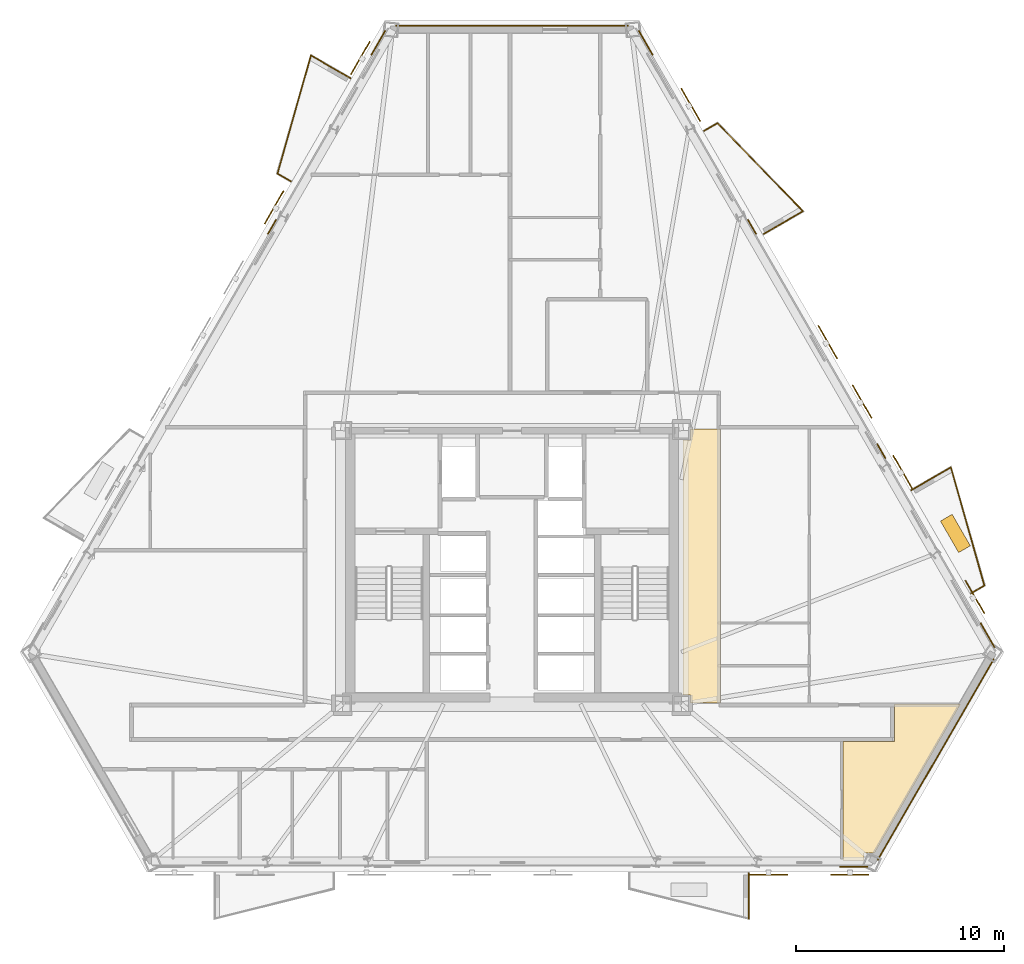
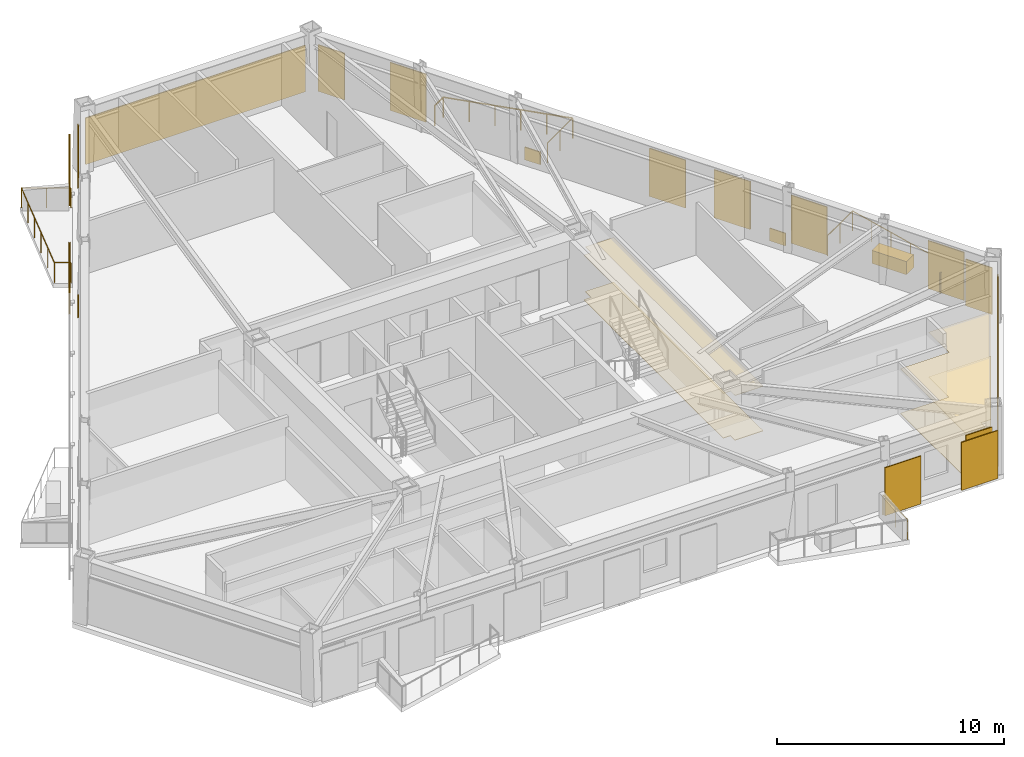
# One storey, part 9 of 9: 14 coverings, 10 railings, 9 shading devices.
"""IFC4 building model written with IfcOpenShell, lengths in metres."""

from ifc_helpers import new_model, si_unit, direction, frame, origin, origin_2d, place, context, subcontext, project, spatial, polyline, rectangle, circle, outline, extrude, material, layer, layer_set, type_object, element, save


model = new_model("IFC4")

# Units and contexts
model_context = context("Model", 3, precision=1e-05, world=origin(), true_north=direction((0.0, 1.0)))
body_context = subcontext(model_context, "Body", "Model", "MODEL_VIEW")
ifc_project = project(units=[si_unit("LENGTHUNIT", "METRE"), si_unit("AREAUNIT", "SQUARE_METRE"), si_unit("VOLUMEUNIT", "CUBIC_METRE"), si_unit("PLANEANGLEUNIT", "RADIAN"), si_unit("MASSUNIT", "GRAM", prefix="KILO")], contexts=[model_context])

# Site, building, storey
site_placement = place(None, origin())
site = spatial("IfcSite", under=ifc_project, at=site_placement, CompositionType="ELEMENT")
building_placement = place(site_placement, origin())
building = spatial("IfcBuilding", under=site, at=building_placement, Name="Oramaril Tower", CompositionType="ELEMENT")
storey_placement = place(building_placement, frame((0.0, 0.0, 104.10009765625)))
storey = spatial("IfcBuildingStorey", under=building, at=storey_placement, Name="L27", CompositionType="ELEMENT", Elevation=104.10009765625)

# Coverings
ifc_material_1 = material(Name="Mineral Fibre Acoustic Ceiling")
ifc_layer_1 = layer(ifc_material_1, 0.02001953125)
ifc_layer_set_1 = layer_set([ifc_layer_1], Name="CVT-CEIL")
covering_type_1 = type_object("IfcCoveringType", Name="CVT-CEIL", PredefinedType="CEILING", material=ifc_layer_set_1)
covering_1_placement = place(storey_placement, frame((0.0, 0.0, 2.39990234375)))
element("IfcCovering", 1, at=covering_1_placement, inside=storey, type_object=covering_type_1, Name="L27 Acoustic Suspended Ceiling 4", PredefinedType="CEILING", context=body_context, shape_type="SweptSolid", body=[
    extrude(outline(polyline([(47.530029296875, 11.050048828125), (46.094970703125, 11.050048828125), (46.094970703125, 11.445068359375), (45.719970703125, 11.445068359375), (45.719970703125, 23.705078125), (46.094970703125, 23.705078125), (46.094970703125, 24.219970703125), (47.530029296875, 24.219970703125), (47.530029296875, 11.050048828125)])), origin(), (0.0, 0.0, 1.0), 0.02001953125),
])
covering_2_placement = place(storey_placement, frame((0.0, 0.0, 2.39990234375)))
element("IfcCovering", 2, at=covering_2_placement, inside=storey, type_object=covering_type_1, Name="L27 Acoustic Suspended Ceiling 7", PredefinedType="CEILING", context=body_context, shape_type="SweptSolid", body=[
    extrude(outline(polyline([(59.07177734375, 10.991943359375), (54.936279296875, 3.829345703125), (54.427734375, 3.829345703125), (54.427734375, 3.481201171875), (53.42919921875, 3.481201171875), (53.42919921875, 9.199951171875), (55.8798828125, 9.199951171875), (55.882080078125, 9.2001953125), (55.8837890625, 9.200439453125), (55.8857421875, 9.200927734375), (55.8876953125, 9.201416015625), (55.889404296875, 9.202392578125), (55.89111328125, 9.203369140625), (55.892578125, 9.20458984375), (55.89404296875, 9.205810546875), (55.8955078125, 9.207275390625), (55.896484375, 9.208984375), (55.897705078125, 9.210693359375), (55.8984375, 9.21240234375), (55.899169921875, 9.214111328125), (55.899658203125, 9.216064453125), (55.89990234375, 9.218017578125), (55.89990234375, 9.219970703125), (55.89990234375, 10.991943359375), (59.07177734375, 10.991943359375)])), origin(), (0.0, 0.0, 1.0), 0.02001953125),
])
ifc_material_2 = material(Name="Warm Cream Limestone", Category="masonry")
ifc_layer_2 = layer(ifc_material_2, 0.050048828125)
ifc_layer_set_2 = layer_set([ifc_layer_2], Name="CVT-CLD")
covering_type_2 = type_object("IfcCoveringType", Name="CVT-CLD", PredefinedType="CLADDING", material=ifc_layer_set_2)
covering_3_placement = place(storey_placement, frame((53.94775390625, 3.180419921875, 0.039794921875), z_axis=(0.0, 0.0, 1.0), x_axis=(1.0, 0.0, 0.0)))
element("IfcCovering", 3, at=covering_3_placement, inside=storey, type_object=covering_type_2, Name="L27 Warm Cream Limestone Cladding", PredefinedType="CLADDING", context=body_context, shape_type="SweptSolid", body=[
    extrude(rectangle(XDim=1.35009765625, YDim=0.050048828125, at=origin_2d()), origin(), (0.0, 0.0, 1.0), 2.498046875),
])
covering_4_placement = place(storey_placement, frame((57.88330078125, 8.331787109375, 0.039794921875), z_axis=(0.0, 0.0, 1.0), x_axis=(0.5, 0.866025403784, 0.0)))
element("IfcCovering", 4, at=covering_4_placement, inside=storey, type_object=covering_type_2, Name="L27 Warm Cream Limestone Cladding", PredefinedType="CLADDING", context=body_context, shape_type="SweptSolid", body=[
    extrude(rectangle(XDim=11.173828125, YDim=0.050048828125, at=origin_2d()), origin(), (0.0, 0.0, 1.0), 2.498046875),
])
for number, where, z_axis, x_axis, name in (
    (5, (60.376708984375, 14.315673828125, 0.039794921875), (0.0, 0.0, 1.0), (-0.5, 0.866025403784, 0.0), "L27 Warm Cream Limestone Cladding"),
    (6, (43.928955078125, 42.803955078125, 0.039794921875), (0.0, 0.0, 1.0), (-0.5, 0.866025403784, 0.0), "L27 Warm Cream Limestone Cladding"),
):
    element("IfcCovering", number, at=place(storey_placement, frame(where, z_axis=z_axis, x_axis=x_axis)), inside=storey, type_object=covering_type_2, Name=name, PredefinedType="CLADDING", context=body_context, shape_type="SweptSolid", body=[
        extrude(rectangle(XDim=1.35009765625, YDim=0.050048828125, at=origin_2d()), origin(), (0.0, 0.0, 1.0), 2.498046875),
    ])
for number, where, z_axis, x_axis, name in (
    (7, (55.2666015625, 23.1669921875, 0.0400390625), (0.0, 0.0, 1.0), (-0.5, 0.866025403784, 0.0), "L27 Warm Cream Limestone Spandrel Cladding"),
    (8, (49.039306640625, 33.95263671875, 0.0400390625), (0.0, 0.0, 1.0), (-0.5, 0.866025403784, 0.0), "L27 Warm Cream Limestone Spandrel Cladding"),
):
    element("IfcCovering", number, at=place(storey_placement, frame(where, z_axis=z_axis, x_axis=x_axis)), inside=storey, type_object=covering_type_2, Name=name, PredefinedType="CLADDING", context=body_context, shape_type="SweptSolid", body=[
        extrude(rectangle(XDim=0.800048828125, YDim=0.050048828125, at=origin_2d()), origin(), (0.0, 0.0, 1.0), 0.679931640625),
    ])
covering_5_placement = place(storey_placement, frame((37.5, 43.63671875, 0.039794921875), z_axis=(0.0, 0.0, 1.0), x_axis=(-1.0, 0.0, 0.0)))
element("IfcCovering", 9, at=covering_5_placement, inside=storey, type_object=covering_type_2, Name="L27 Warm Cream Limestone Cladding", PredefinedType="CLADDING", context=body_context, shape_type="SweptSolid", body=[
    extrude(rectangle(XDim=11.173828125, YDim=0.050048828125, at=origin_2d()), origin(), (0.0, 0.0, 1.0), 2.498046875),
])
covering_6_placement = place(storey_placement, frame((31.071044921875, 42.803955078125, 0.039794921875), z_axis=(0.0, 0.0, 1.0), x_axis=(-0.5, -0.866025403784, 0.0)))
element("IfcCovering", 10, at=covering_6_placement, inside=storey, type_object=covering_type_2, Name="L27 Warm Cream Limestone Cladding", PredefinedType="CLADDING", context=body_context, shape_type="SweptSolid", body=[
    extrude(rectangle(XDim=1.35009765625, YDim=0.050048828125, at=origin_2d()), origin(), (0.0, 0.0, 1.0), 2.498046875),
])
covering_7_placement = place(storey_placement, frame((25.960693359375, 33.95263671875, 0.0400390625), z_axis=(0.0, 0.0, 1.0), x_axis=(-0.5, -0.866025403784, 0.0)))
element("IfcCovering", 11, at=covering_7_placement, inside=storey, type_object=covering_type_2, Name="L27 Warm Cream Limestone Spandrel Cladding", PredefinedType="CLADDING", context=body_context, shape_type="SweptSolid", body=[
    extrude(rectangle(XDim=0.800048828125, YDim=0.050048828125, at=origin_2d()), origin(), (0.0, 0.0, 1.0), 0.679931640625),
])
covering_8_placement = place(storey_placement, frame((58.827880859375, 19.205810546875, 0.0), z_axis=(0.0, 0.0, 1.0), x_axis=(-0.5, 0.866025403784, 0.0)))
element("IfcCovering", 12, at=covering_8_placement, inside=storey, type_object=covering_type_2, Name="L27 Structural Tree Planter Box L27-BAL-NE1", PredefinedType="CLADDING", context=body_context, shape_type="SweptSolid", body=[
    extrude(rectangle(XDim=1.75, YDim=0.64990234375, at=origin_2d()), origin(), (0.0, 0.0, 1.0), 0.699951171875),
])
ifc_material_3 = material(Name="Honed Quartzite Stone Flooring", Category="masonry")
ifc_layer_3 = layer(ifc_material_3, 0.02490234375)
ifc_layer_set_3 = layer_set([ifc_layer_3], Name="CVT-FLR")
covering_type_3 = type_object("IfcCoveringType", Name="CVT-FLR", PredefinedType="FLOORING", material=ifc_layer_set_3)
covering_9_placement = place(storey_placement, origin())
element("IfcCovering", 13, at=covering_9_placement, inside=storey, type_object=covering_type_3, Name="L27 Honed Stone Floor Finish 4", PredefinedType="FLOORING", context=body_context, shape_type="SweptSolid", body=[
    extrude(outline(polyline([(47.530029296875, 11.050048828125), (46.094970703125, 11.050048828125), (46.094970703125, 11.445068359375), (45.719970703125, 11.445068359375), (45.719970703125, 23.705078125), (46.094970703125, 23.705078125), (46.094970703125, 24.219970703125), (47.530029296875, 24.219970703125), (47.530029296875, 11.050048828125)])), origin(), (0.0, 0.0, 1.0), 0.02490234375),
])
covering_10_placement = place(storey_placement, origin())
element("IfcCovering", 14, at=covering_10_placement, inside=storey, type_object=covering_type_3, Name="L27 Honed Stone Floor Finish 7", PredefinedType="FLOORING", context=body_context, shape_type="SweptSolid", body=[
    extrude(outline(polyline([(59.07177734375, 10.991943359375), (54.936279296875, 3.829345703125), (54.427734375, 3.829345703125), (54.427734375, 3.481201171875), (53.42919921875, 3.481201171875), (53.42919921875, 9.199951171875), (55.8798828125, 9.199951171875), (55.882080078125, 9.2001953125), (55.8837890625, 9.200439453125), (55.8857421875, 9.200927734375), (55.8876953125, 9.201416015625), (55.889404296875, 9.202392578125), (55.89111328125, 9.203369140625), (55.892578125, 9.20458984375), (55.89404296875, 9.205810546875), (55.8955078125, 9.207275390625), (55.896484375, 9.208984375), (55.897705078125, 9.210693359375), (55.8984375, 9.21240234375), (55.899169921875, 9.214111328125), (55.899658203125, 9.216064453125), (55.89990234375, 9.218017578125), (55.89990234375, 9.219970703125), (55.89990234375, 10.991943359375), (59.07177734375, 10.991943359375)])), origin(), (0.0, 0.0, 1.0), 0.02490234375),
])

# Railings
ifc_material_4 = material(Name="Stainless Steel 316L", Category="steel")
railing_type = type_object("IfcRailingType", Name="RLT-GRD", PredefinedType="GUARDRAIL", material=ifc_material_4)
railing_1_placement = place(storey_placement, frame((48.87841796875, 2.865234375, 0.0)))
element("IfcRailing", 15, at=railing_1_placement, inside=storey, type_object=railing_type, Name="L27 Balcony Guardrail L27-BAL-S2.1", PredefinedType="GUARDRAIL", context=body_context, shape_type="SweptSolid", body=[
    extrude(circle(Radius=0.02392578125, at=origin_2d()), frame((0.0, 0.0, 1.076171875), z_axis=(0.0, -1.0, 0.0), x_axis=(1.0, 0.0, 0.0)), (0.0, 0.0, 1.0), 2.19189453125),
    extrude(circle(Radius=0.02099609375, at=origin_2d()), origin(), (0.0, 0.0, 1.0), 1.052001953125),
    extrude(circle(Radius=0.02099609375, at=origin_2d()), frame((0.0, -1.095947265625, 0.0)), (0.0, 0.0, 1.0), 1.052001953125),
    extrude(circle(Radius=0.02099609375, at=origin_2d()), frame((0.0, -2.19189453125, 0.0)), (0.0, 0.0, 1.0), 1.052001953125),
])
railing_2_placement = place(storey_placement, frame((56.71240234375, 21.29248046875, 0.0)))
element("IfcRailing", 16, at=railing_2_placement, inside=storey, type_object=railing_type, Name="L27 Balcony Guardrail L27-BAL-NE1.1", PredefinedType="GUARDRAIL", context=body_context, shape_type="SweptSolid", body=[
    extrude(circle(Radius=0.02392578125, at=origin_2d()), frame((0.0, 0.0, 1.076171875), z_axis=(0.865972267571, 0.50009202333, 0.0), x_axis=(-0.50009202333, 0.865972267571, 0.0)), (0.0, 0.0, 1.0), 2.19189453125),
    extrude(circle(Radius=0.02099609375, at=origin_2d()), origin(), (0.0, 0.0, 1.0), 1.052001953125),
    extrude(circle(Radius=0.02099609375, at=origin_2d()), frame((0.94921875, 0.548095703125, 0.0)), (0.0, 0.0, 1.0), 1.052001953125),
    extrude(circle(Radius=0.02099609375, at=origin_2d()), frame((1.898193359375, 1.09619140625, 0.0)), (0.0, 0.0, 1.0), 1.052001953125),
])
railing_3_placement = place(storey_placement, frame((58.610595703125, 22.388671875, 0.0)))
element("IfcRailing", 17, at=railing_3_placement, inside=storey, type_object=railing_type, Name="L27 Balcony Guardrail L27-BAL-NE1.2", PredefinedType="GUARDRAIL", context=body_context, shape_type="SweptSolid", body=[
    extrude(circle(Radius=0.02392578125, at=origin_2d()), frame((0.0, 0.0, 1.076171875), z_axis=(0.272287109361, -0.962216051662, 0.0), x_axis=(0.962216051662, 0.272287109361, 0.0)), (0.0, 0.0, 1.0), 5.91064453125),
    extrude(circle(Radius=0.02099609375, at=origin_2d()), origin(), (0.0, 0.0, 1.0), 1.052001953125),
    extrude(circle(Radius=0.02099609375, at=origin_2d()), frame((0.32177734375, -1.137451171875, 0.0)), (0.0, 0.0, 1.0), 1.052001953125),
    extrude(circle(Radius=0.02099609375, at=origin_2d()), frame((0.643798828125, -2.27490234375, 0.0)), (0.0, 0.0, 1.0), 1.052001953125),
    extrude(circle(Radius=0.02099609375, at=origin_2d()), frame((0.965576171875, -3.412353515625, 0.0)), (0.0, 0.0, 1.0), 1.052001953125),
    extrude(circle(Radius=0.02099609375, at=origin_2d()), frame((1.28759765625, -4.5498046875, 0.0)), (0.0, 0.0, 1.0), 1.052001953125),
    extrude(circle(Radius=0.02099609375, at=origin_2d()), frame((1.609375, -5.687255859375, 0.0)), (0.0, 0.0, 1.0), 1.052001953125),
])
railing_4_placement = place(storey_placement, frame((60.219970703125, 16.701416015625, 0.0)))
element("IfcRailing", 18, at=railing_4_placement, inside=storey, type_object=railing_type, Name="L27 Balcony Guardrail L27-BAL-NE1.3", PredefinedType="GUARDRAIL", context=body_context, shape_type="SweptSolid", body=[
    extrude(circle(Radius=0.02392578125, at=origin_2d()), frame((0.0, 0.0, 1.076171875), z_axis=(-0.865966403178, -0.500102178127, 0.0), x_axis=(0.500102178127, -0.865966403178, 0.0)), (0.0, 0.0, 1.0), 0.741943359375),
    extrude(circle(Radius=0.02099609375, at=origin_2d()), origin(), (0.0, 0.0, 1.0), 1.052001953125),
    extrude(circle(Radius=0.02099609375, at=origin_2d()), frame((-0.642578125, -0.37109375, 0.0)), (0.0, 0.0, 1.0), 1.052001953125),
])
railing_5_placement = place(storey_placement, frame((46.736572265625, 38.5712890625, 0.0)))
element("IfcRailing", 19, at=railing_5_placement, inside=storey, type_object=railing_type, Name="L27 Balcony Guardrail L27-BAL-NE2.1", PredefinedType="GUARDRAIL", context=body_context, shape_type="SweptSolid", body=[
    extrude(circle(Radius=0.02392578125, at=origin_2d()), frame((0.0, 0.0, 1.076171875), z_axis=(0.866108878364, 0.499855389907, 0.0), x_axis=(-0.499855389907, 0.866108878364, 0.0)), (0.0, 0.0, 1.0), 0.741943359375),
    extrude(circle(Radius=0.02099609375, at=origin_2d()), origin(), (0.0, 0.0, 1.0), 1.052001953125),
    extrude(circle(Radius=0.02099609375, at=origin_2d()), frame((0.642578125, 0.370849609375, 0.0)), (0.0, 0.0, 1.0), 1.052001953125),
])
railing_6_placement = place(storey_placement, frame((47.379150390625, 38.942138671875, 0.0)))
element("IfcRailing", 20, at=railing_6_placement, inside=storey, type_object=railing_type, Name="L27 Balcony Guardrail L27-BAL-NE2.2", PredefinedType="GUARDRAIL", context=body_context, shape_type="SweptSolid", body=[
    extrude(circle(Radius=0.02392578125, at=origin_2d()), frame((0.0, 0.0, 1.076171875), z_axis=(0.697186915353, -0.716889395277, 0.0), x_axis=(0.716889395277, 0.697186915353, 0.0)), (0.0, 0.0, 1.0), 5.91064453125),
    extrude(circle(Radius=0.02099609375, at=origin_2d()), origin(), (0.0, 0.0, 1.0), 1.052001953125),
    extrude(circle(Radius=0.02099609375, at=origin_2d()), frame((0.82421875, -0.847412109375, 0.0)), (0.0, 0.0, 1.0), 1.052001953125),
    extrude(circle(Radius=0.02099609375, at=origin_2d()), frame((1.6484375, -1.69482421875, 0.0)), (0.0, 0.0, 1.0), 1.052001953125),
    extrude(circle(Radius=0.02099609375, at=origin_2d()), frame((2.472412109375, -2.54248046875, 0.0)), (0.0, 0.0, 1.0), 1.052001953125),
    extrude(circle(Radius=0.02099609375, at=origin_2d()), frame((3.296630859375, -3.389892578125, 0.0)), (0.0, 0.0, 1.0), 1.052001953125),
    extrude(circle(Radius=0.02099609375, at=origin_2d()), frame((4.120849609375, -4.2373046875, 0.0)), (0.0, 0.0, 1.0), 1.052001953125),
])
railing_7_placement = place(storey_placement, frame((51.5, 34.704833984375, 0.0)))
element("IfcRailing", 21, at=railing_7_placement, inside=storey, type_object=railing_type, Name="L27 Balcony Guardrail L27-BAL-NE2.3", PredefinedType="GUARDRAIL", context=body_context, shape_type="SweptSolid", body=[
    extrude(circle(Radius=0.02392578125, at=origin_2d()), frame((0.0, 0.0, 1.076171875), z_axis=(-0.866048343933, -0.499960264392, 0.0), x_axis=(0.499960264392, -0.866048343933, 0.0)), (0.0, 0.0, 1.0), 2.192138671875),
    extrude(circle(Radius=0.02099609375, at=origin_2d()), origin(), (0.0, 0.0, 1.0), 1.052001953125),
    extrude(circle(Radius=0.02099609375, at=origin_2d()), frame((-0.94921875, -0.5478515625, 0.0)), (0.0, 0.0, 1.0), 1.052001953125),
    extrude(circle(Radius=0.02099609375, at=origin_2d()), frame((-1.8984375, -1.095947265625, 0.0)), (0.0, 0.0, 1.0), 1.052001953125),
])
railing_8_placement = place(storey_placement, frame((26.86083984375, 36.14208984375, 0.0)))
element("IfcRailing", 22, at=railing_8_placement, inside=storey, type_object=railing_type, Name="L27 Balcony Guardrail L27-BAL-NW1.1", PredefinedType="GUARDRAIL", context=body_context, shape_type="SweptSolid", body=[
    extrude(circle(Radius=0.02392578125, at=origin_2d()), frame((0.0, 0.0, 1.076171875), z_axis=(-0.865884080729, 0.500244698863, 0.0), x_axis=(-0.500244698863, -0.865884080729, 0.0)), (0.0, 0.0, 1.0), 0.741943359375),
    extrude(circle(Radius=0.02099609375, at=origin_2d()), origin(), (0.0, 0.0, 1.0), 1.052001953125),
    extrude(circle(Radius=0.02099609375, at=origin_2d()), frame((-0.642333984375, 0.37109375, 0.0)), (0.0, 0.0, 1.0), 1.052001953125),
])
railing_9_placement = place(storey_placement, frame((26.218505859375, 36.51318359375, 0.0)))
element("IfcRailing", 23, at=railing_9_placement, inside=storey, type_object=railing_type, Name="L27 Balcony Guardrail L27-BAL-NW1.2", PredefinedType="GUARDRAIL", context=body_context, shape_type="SweptSolid", body=[
    extrude(circle(Radius=0.02392578125, at=origin_2d()), frame((0.0, 0.0, 1.076171875), z_axis=(0.272259686627, 0.962223811303, 0.0), x_axis=(-0.962223811303, 0.272259686627, 0.0)), (0.0, 0.0, 1.0), 5.910400390625),
    extrude(circle(Radius=0.02099609375, at=origin_2d()), origin(), (0.0, 0.0, 1.0), 1.052001953125),
    extrude(circle(Radius=0.02099609375, at=origin_2d()), frame((0.32177734375, 1.137451171875, 0.0)), (0.0, 0.0, 1.0), 1.052001953125),
    extrude(circle(Radius=0.02099609375, at=origin_2d()), frame((0.6435546875, 2.27490234375, 0.0)), (0.0, 0.0, 1.0), 1.052001953125),
    extrude(circle(Radius=0.02099609375, at=origin_2d()), frame((0.965576171875, 3.412109375, 0.0)), (0.0, 0.0, 1.0), 1.052001953125),
    extrude(circle(Radius=0.02099609375, at=origin_2d()), frame((1.287353515625, 4.549560546875, 0.0)), (0.0, 0.0, 1.0), 1.052001953125),
    extrude(circle(Radius=0.02099609375, at=origin_2d()), frame((1.609130859375, 5.68701171875, 0.0)), (0.0, 0.0, 1.0), 1.052001953125),
])
railing_10_placement = place(storey_placement, frame((27.82763671875, 42.2001953125, 0.0)))
element("IfcRailing", 24, at=railing_10_placement, inside=storey, type_object=railing_type, Name="L27 Balcony Guardrail L27-BAL-NW1.3", PredefinedType="GUARDRAIL", context=body_context, shape_type="SweptSolid", body=[
    extrude(circle(Radius=0.02392578125, at=origin_2d()), frame((0.0, 0.0, 1.076171875), z_axis=(0.866020500697, -0.5000084923, 0.0), x_axis=(0.5000084923, 0.866020500697, 0.0)), (0.0, 0.0, 1.0), 2.19189453125),
    extrude(circle(Radius=0.02099609375, at=origin_2d()), origin(), (0.0, 0.0, 1.0), 1.052001953125),
    extrude(circle(Radius=0.02099609375, at=origin_2d()), frame((0.94921875, -0.5478515625, 0.0)), (0.0, 0.0, 1.0), 1.052001953125),
    extrude(circle(Radius=0.02099609375, at=origin_2d()), frame((1.898193359375, -1.095947265625, 0.0)), (0.0, 0.0, 1.0), 1.052001953125),
])

# Shading devices
for number, where, z_axis, x_axis, name in (
    (25, (49.84765625, 2.793212890625, -0.02001953125), (0.0, 0.0, 1.0), (1.0, 0.0, 0.0), "L27 Perforated Ceramic Solar Screen"),
    (26, (53.747802734375, 2.793212890625, -0.02001953125), (0.0, 0.0, 1.0), (1.0, 0.0, 0.0), "L27 Perforated Ceramic Solar Screen"),
    (27, (59.767822265625, 16.14453125, -0.02001953125), (0.0, 0.0, 1.0), (-0.5, 0.866025403784, 0.0), "L27 Perforated Ceramic Solar Screen"),
    (28, (56.288330078125, 22.171142578125, -0.02001953125), (0.0, 0.0, 1.0), (-0.5, 0.866025403784, 0.0), "L27 Perforated Ceramic Solar Screen"),
    (29, (54.33837890625, 25.548583984375, -0.02001953125), (0.0, 0.0, 1.0), (-0.5, 0.866025403784, 0.0), "L27 Perforated Ceramic Solar Screen"),
    (30, (52.689697265625, 28.40380859375, -0.02001953125), (0.0, 0.0, 1.0), (-0.5, 0.866025403784, 0.0), "L27 Perforated Ceramic Solar Screen"),
    (31, (46.100830078125, 39.816162109375, -0.02001953125), (0.0, 0.0, 1.0), (-0.5, 0.866025403784, 0.0), "L27 Perforated Ceramic Solar Screen"),
    (32, (26.05810546875, 34.895263671875, -0.02001953125), (0.0, 0.0, 1.0), (-0.5, -0.866025403784, 0.0), "L27 Perforated Ceramic Solar Screen"),
    (33, (30.2080078125, 42.0830078125, -0.02001953125), (0.0, 0.0, 1.0), (-0.5, -0.866025403784, 0.0), "L27 Perforated Ceramic Solar Screen"),
):
    element("IfcShadingDevice", number, at=place(storey_placement, frame(where, z_axis=z_axis, x_axis=x_axis)), inside=storey, Name=name, ObjectType="SCREEN", PredefinedType="USERDEFINED", context=body_context, shape_type="SweptSolid", body=[
        extrude(rectangle(XDim=1.8330078125, YDim=0.050048828125, at=origin_2d()), origin(), (0.0, 0.0, 1.0), 2.577880859375),
    ])

save(model, "model.ifc")
